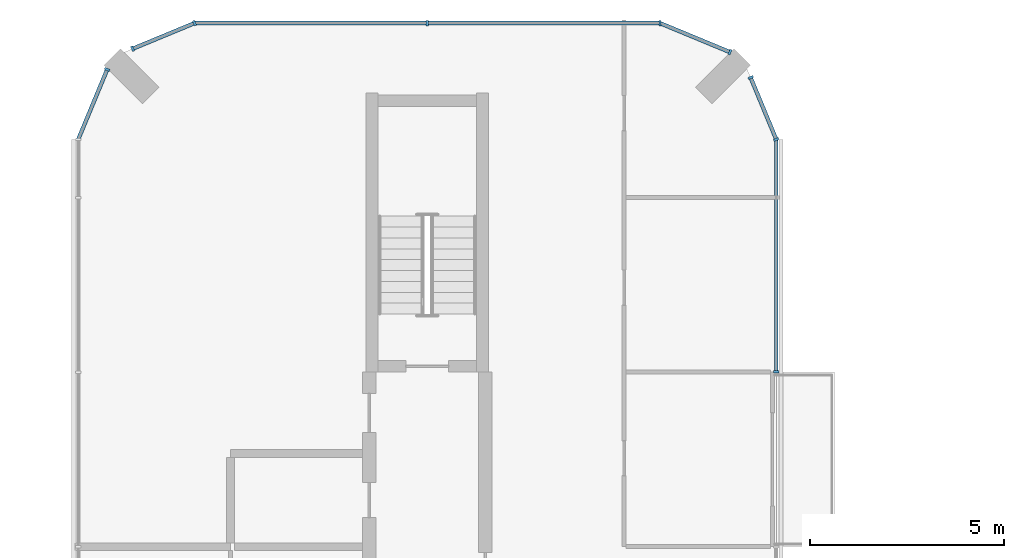
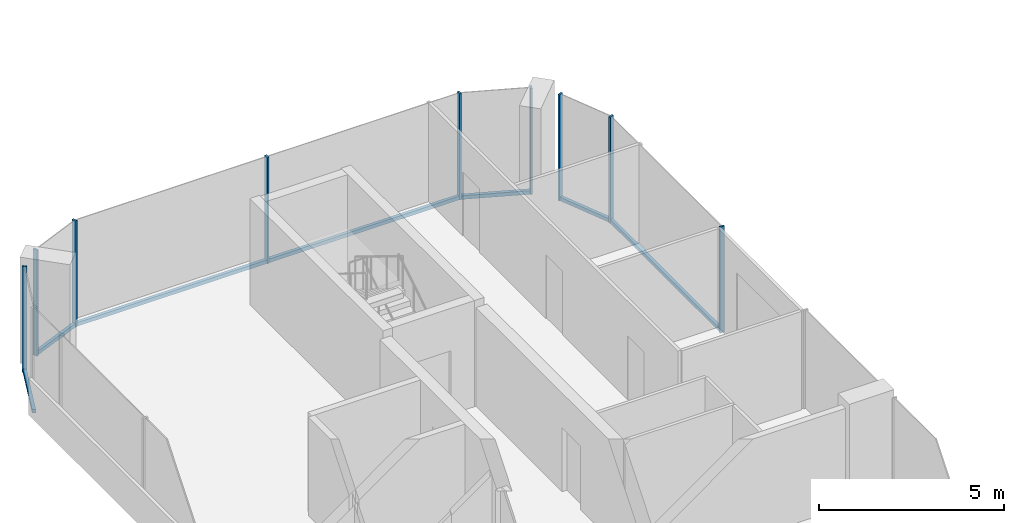
# One storey, part 7 of 24: 15 members, 6 elements without a shape of their own.
"""IFC4 building model written with IfcOpenShell, lengths in metres."""

from ifc_helpers import new_model, si_unit, direction, frame, origin, origin_2d, place, context, subcontext, project, spatial, rectangle, extrude, material, layer, layer_set, material_profile, profile_set, type_object, element, aggregate, save


model = new_model("IFC4")

# Units and contexts
model_context = context("Model", 3, precision=1e-05, world=origin(), true_north=direction((0.0, 1.0)))
body_context = subcontext(model_context, "Body", "Model", "MODEL_VIEW")
ifc_project = project(units=[si_unit("LENGTHUNIT", "METRE"), si_unit("AREAUNIT", "SQUARE_METRE"), si_unit("VOLUMEUNIT", "CUBIC_METRE"), si_unit("PLANEANGLEUNIT", "RADIAN"), si_unit("MASSUNIT", "GRAM", prefix="KILO")], contexts=[model_context])

# Site, building, storey
site_placement = place(None, origin())
site = spatial("IfcSite", under=ifc_project, at=site_placement, CompositionType="ELEMENT")
building_placement = place(site_placement, origin())
building = spatial("IfcBuilding", under=site, at=building_placement, Name="Plateau Cross Towers", CompositionType="ELEMENT")
storey_placement = place(building_placement, frame((0.0, 0.0, 51.300048828125)))
storey = spatial("IfcBuildingStorey", under=building, at=storey_placement, Name="L12", CompositionType="ELEMENT", Elevation=51.300048828125)

# Curtain wall, member
ifc_material_1 = material(Name="Dark low-iron glass", Category="glass")
ifc_layer = layer(ifc_material_1, 0.239990234375)
ifc_layer_set = layer_set([ifc_layer], Name="Dark low-iron glass")
curtain_wall_type = type_object("IfcCurtainWallType", Name="Curtain wall flush unitised CW-B", PredefinedType="NOTDEFINED", material=ifc_layer_set)
curtain_wall_1_placement = place(storey_placement, origin())
curtain_wall_1 = element("IfcCurtainWall", 1, at=curtain_wall_1_placement, inside=storey, type_object=curtain_wall_type, Name="ENV/A/L12/A180_450", PredefinedType="NOTDEFINED")
ifc_material_2 = material(Name="Black anodised aluminium", Category="aluminium")
ifc_material_profile_1 = material_profile(ifc_material_2, rectangle(XDim=0.06005859375, YDim=0.139892578125, at=origin_2d()), Name="MULLION 60x140")
ifc_profile_set_1 = profile_set([ifc_material_profile_1], Name="Black anodised aluminium")
member_type_1 = type_object("IfcMemberType", Name="Mullion 60x140 flush unitised", PredefinedType="MULLION", material=ifc_profile_set_1)
member_1_placement = place(storey_placement, frame((18.0, 45.010009765625, -0.25), z_axis=(0.0, 0.0, 1.0), x_axis=(0.0, 1.0, 0.0)))
member_1 = element("IfcMember", 2, at=member_1_placement, type_object=member_type_1, Name="CW-B mullion 1", PredefinedType="MULLION", context=body_context, shape_type="SweptSolid", body=[
    extrude(rectangle(XDim=0.06005859375, YDim=0.139892578125, at=origin_2d()), origin(), (0.0, 0.0, 1.0), 3.5),
])

# Curtain wall, members
curtain_wall_2_placement = place(storey_placement, origin())
curtain_wall_2 = element("IfcCurtainWall", 3, at=curtain_wall_2_placement, inside=storey, type_object=curtain_wall_type, Name="ENV/A/L12/A180_510", PredefinedType="NOTDEFINED")
member_2_placement = place(storey_placement, frame((18.0, 51.0, -0.25), z_axis=(0.0, 0.0, 1.0), x_axis=(-0.382683612978, 0.923879457699, 0.0)))
member_2 = element("IfcMember", 4, at=member_2_placement, type_object=member_type_1, Name="CW-B mullion 1", PredefinedType="MULLION", context=body_context, shape_type="SweptSolid", body=[
    extrude(rectangle(XDim=0.06005859375, YDim=0.139892578125, at=origin_2d()), origin(), (0.0, 0.0, 1.0), 3.5),
])
member_3_placement = place(storey_placement, frame((17.338623046875, 52.5966796875, -0.25), z_axis=(0.0, 0.0, 1.0), x_axis=(-0.382683612978, 0.923879457699, 0.0)))
member_3 = element("IfcMember", 5, at=member_3_placement, type_object=member_type_1, Name="CW-B mullion 2", PredefinedType="MULLION", context=body_context, shape_type="SweptSolid", body=[
    extrude(rectangle(XDim=0.06005859375, YDim=0.139892578125, at=origin_2d()), origin(), (0.0, 0.0, 1.0), 3.5),
])

# Curtain wall, member
curtain_wall_3_placement = place(storey_placement, origin())
curtain_wall_3 = element("IfcCurtainWall", 6, at=curtain_wall_3_placement, inside=storey, type_object=curtain_wall_type, Name="ENV/A/L12/A168_533", PredefinedType="NOTDEFINED")
member_4_placement = place(storey_placement, frame((16.805908203125, 53.251953125, -0.25), z_axis=(0.0, 0.0, 1.0), x_axis=(-0.923879457699, 0.382683612978, 0.0)))
member_4 = element("IfcMember", 7, at=member_4_placement, type_object=member_type_1, Name="CW-B mullion 1", PredefinedType="MULLION", context=body_context, shape_type="SweptSolid", body=[
    extrude(rectangle(XDim=0.06005859375, YDim=0.139892578125, at=origin_2d()), origin(), (0.0, 0.0, 1.0), 3.5),
])

# Curtain wall, members
curtain_wall_4_placement = place(storey_placement, origin())
curtain_wall_4 = element("IfcCurtainWall", 8, at=curtain_wall_4_placement, inside=storey, type_object=curtain_wall_type, Name="ENV/A/L12/A150_540", PredefinedType="NOTDEFINED")
member_5_placement = place(storey_placement, frame((15.0, 54.0, -0.25), z_axis=(0.0, 0.0, 1.0), x_axis=(-1.0, 0.0, 0.0)))
member_5 = element("IfcMember", 9, at=member_5_placement, type_object=member_type_1, Name="CW-B mullion 1", PredefinedType="MULLION", context=body_context, shape_type="SweptSolid", body=[
    extrude(rectangle(XDim=0.06005859375, YDim=0.139892578125, at=origin_2d()), origin(), (0.0, 0.0, 1.0), 3.5),
])
member_6_placement = place(storey_placement, frame((9.0, 54.0, -0.25), z_axis=(0.0, 0.0, 1.0), x_axis=(-1.0, 0.0, 0.0)))
member_6 = element("IfcMember", 10, at=member_6_placement, type_object=member_type_1, Name="CW-B mullion 2", PredefinedType="MULLION", context=body_context, shape_type="SweptSolid", body=[
    extrude(rectangle(XDim=0.06005859375, YDim=0.139892578125, at=origin_2d()), origin(), (0.0, 0.0, 1.0), 3.5),
])

curtain_wall_5_placement = place(storey_placement, origin())
curtain_wall_5 = element("IfcCurtainWall", 11, at=curtain_wall_5_placement, inside=storey, type_object=curtain_wall_type, Name="ENV/A/L12/A30_540", PredefinedType="NOTDEFINED")
member_7_placement = place(storey_placement, frame((3.0, 54.0, -0.25), z_axis=(0.0, 0.0, 1.0), x_axis=(-0.923879457699, -0.382683612978, 0.0)))
member_7 = element("IfcMember", 12, at=member_7_placement, type_object=member_type_1, Name="CW-B mullion 1", PredefinedType="MULLION", context=body_context, shape_type="SweptSolid", body=[
    extrude(rectangle(XDim=0.06005859375, YDim=0.139892578125, at=origin_2d()), origin(), (0.0, 0.0, 1.0), 3.5),
])
member_8_placement = place(storey_placement, frame((1.4033203125, 53.338623046875, -0.25), z_axis=(0.0, 0.0, 1.0), x_axis=(-0.923879457699, -0.382683612978, 0.0)))
member_8 = element("IfcMember", 13, at=member_8_placement, type_object=member_type_1, Name="CW-B mullion 2", PredefinedType="MULLION", context=body_context, shape_type="SweptSolid", body=[
    extrude(rectangle(XDim=0.06005859375, YDim=0.139892578125, at=origin_2d()), origin(), (0.0, 0.0, 1.0), 3.5),
])

# Curtain wall, member
curtain_wall_6_placement = place(storey_placement, origin())
curtain_wall_6 = element("IfcCurtainWall", 14, at=curtain_wall_6_placement, inside=storey, type_object=curtain_wall_type, Name="ENV/A/L12/A7_528", PredefinedType="NOTDEFINED")
member_9_placement = place(storey_placement, frame((0.748046875, 52.805908203125, -0.25), z_axis=(0.0, 0.0, 1.0), x_axis=(-0.382683612978, -0.923879457699, 0.0)))
member_9 = element("IfcMember", 15, at=member_9_placement, type_object=member_type_1, Name="CW-B mullion 1", PredefinedType="MULLION", context=body_context, shape_type="SweptSolid", body=[
    extrude(rectangle(XDim=0.06005859375, YDim=0.139892578125, at=origin_2d()), origin(), (0.0, 0.0, 1.0), 3.5),
])

# Member
ifc_material_profile_2 = material_profile(ifc_material_2, rectangle(XDim=0.10009765625, YDim=0.1201171875, at=origin_2d()), Name="TRANSOM 100x120")
ifc_profile_set_2 = profile_set([ifc_material_profile_2], Name="Black anodised aluminium")
member_type_2 = type_object("IfcMemberType", Name="Transom 100x120 flush unitised", PredefinedType="USERDEFINED", material=ifc_profile_set_2)
member_10_placement = place(storey_placement, frame((18.0, 45.010009765625, -0.18994140625), z_axis=(0.0, 1.0, 0.0), x_axis=(-1.0, 0.0, 0.0)))
member_10 = element("IfcMember", 16, at=member_10_placement, type_object=member_type_2, Name="CW-B transom", ObjectType="TRANSOM", PredefinedType="USERDEFINED", context=body_context, shape_type="SweptSolid", body=[
    extrude(rectangle(XDim=0.10009765625, YDim=0.1201171875, at=origin_2d()), origin(), (0.0, 0.0, 1.0), 5.989990234375),
])

aggregate(curtain_wall_1, [member_1, member_10])

member_11_placement = place(storey_placement, frame((18.0, 51.0, -0.18994140625), z_axis=(-0.382688653628, 0.923877369776, 0.0), x_axis=(-0.923877369776, -0.382688653628, 0.0)))
member_11 = element("IfcMember", 17, at=member_11_placement, type_object=member_type_2, Name="CW-B transom", ObjectType="TRANSOM", PredefinedType="USERDEFINED", context=body_context, shape_type="SweptSolid", body=[
    extrude(rectangle(XDim=0.10009765625, YDim=0.1201171875, at=origin_2d()), origin(), (0.0, 0.0, 1.0), 1.728271484375),
])

aggregate(curtain_wall_2, [member_2, member_3, member_11])

member_12_placement = place(storey_placement, frame((16.805908203125, 53.251953125, -0.18994140625), z_axis=(-0.92387678234, 0.382690071798, 0.0), x_axis=(-0.382690071798, -0.92387678234, 0.0)))
member_12 = element("IfcMember", 18, at=member_12_placement, type_object=member_type_2, Name="CW-B transom", ObjectType="TRANSOM", PredefinedType="USERDEFINED", context=body_context, shape_type="SweptSolid", body=[
    extrude(rectangle(XDim=0.10009765625, YDim=0.1201171875, at=origin_2d()), origin(), (0.0, 0.0, 1.0), 1.95458984375),
])

aggregate(curtain_wall_3, [member_4, member_12])

member_13_placement = place(storey_placement, frame((15.0, 54.0, -0.18994140625), z_axis=(-1.0, 0.0, 0.0), x_axis=(0.0, -1.0, 0.0)))
member_13 = element("IfcMember", 19, at=member_13_placement, type_object=member_type_2, Name="CW-B transom", ObjectType="TRANSOM", PredefinedType="USERDEFINED", context=body_context, shape_type="SweptSolid", body=[
    extrude(rectangle(XDim=0.10009765625, YDim=0.1201171875, at=origin_2d()), origin(), (0.0, 0.0, 1.0), 12.0),
])

aggregate(curtain_wall_4, [member_5, member_6, member_13])

member_14_placement = place(storey_placement, frame((3.0, 54.0, -0.18994140625), z_axis=(-0.923877369776, -0.382688653628, 0.0), x_axis=(0.382688653628, -0.923877369776, 0.0)))
member_14 = element("IfcMember", 20, at=member_14_placement, type_object=member_type_2, Name="CW-B transom", ObjectType="TRANSOM", PredefinedType="USERDEFINED", context=body_context, shape_type="SweptSolid", body=[
    extrude(rectangle(XDim=0.10009765625, YDim=0.1201171875, at=origin_2d()), origin(), (0.0, 0.0, 1.0), 1.728271484375),
])

aggregate(curtain_wall_5, [member_7, member_8, member_14])

member_15_placement = place(storey_placement, frame((0.748046875, 52.805908203125, -0.18994140625), z_axis=(-0.382690071798, -0.92387678234, 0.0), x_axis=(0.92387678234, -0.382690071798, 0.0)))
member_15 = element("IfcMember", 21, at=member_15_placement, type_object=member_type_2, Name="CW-B transom", ObjectType="TRANSOM", PredefinedType="USERDEFINED", context=body_context, shape_type="SweptSolid", body=[
    extrude(rectangle(XDim=0.10009765625, YDim=0.1201171875, at=origin_2d()), origin(), (0.0, 0.0, 1.0), 1.95458984375),
])

aggregate(curtain_wall_6, [member_9, member_15])

save(model, "model.ifc")
